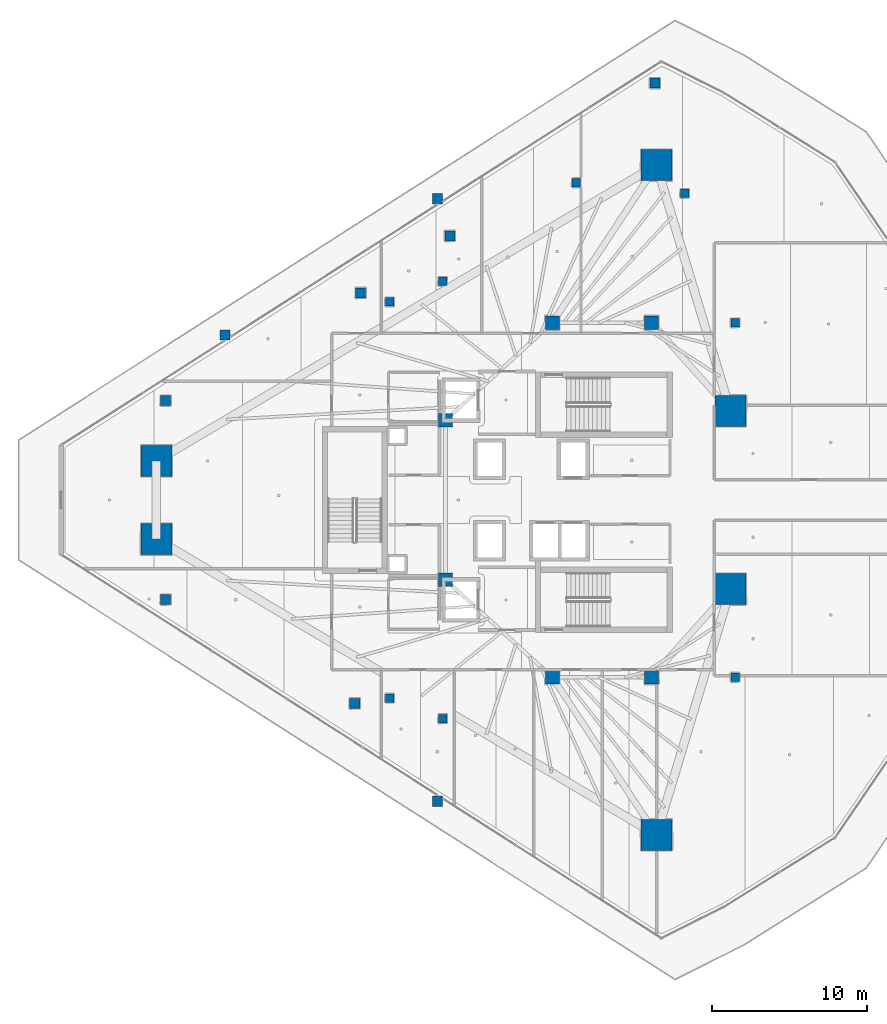
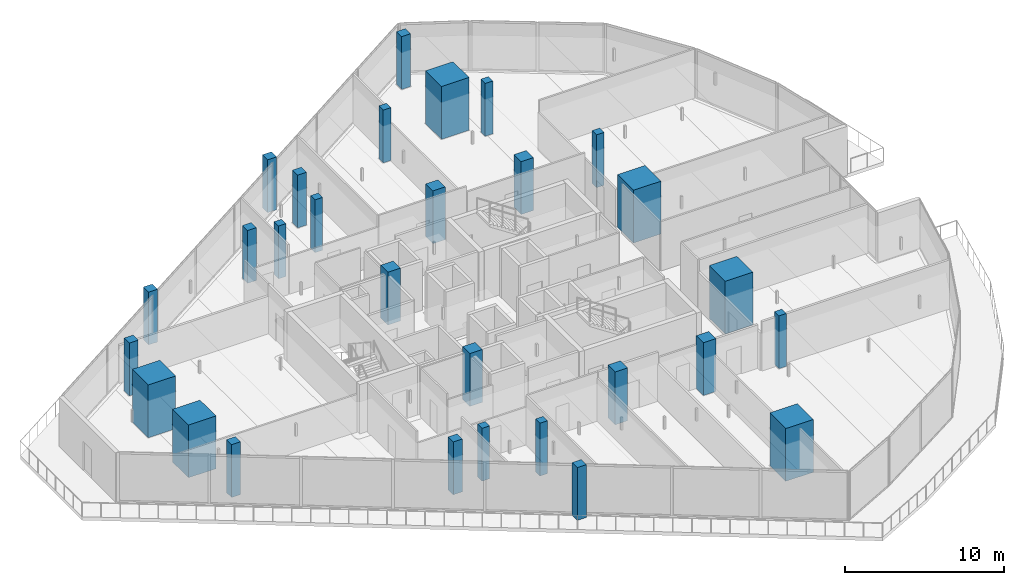
# One storey, part 1 of 37: 29 columns.
"""IFC4 building model written with IfcOpenShell, lengths in metres."""

from ifc_helpers import new_model, si_unit, direction, frame, origin, origin_2d, place, context, subcontext, project, spatial, rectangle, extrude, material, material_profile, profile_set, type_object, element, save


model = new_model("IFC4")

# Units and contexts
model_context = context("Model", 3, precision=1e-05, world=origin(), true_north=direction((0.0, 1.0)))
body_context = subcontext(model_context, "Body", "Model", "MODEL_VIEW")
ifc_project = project(units=[si_unit("LENGTHUNIT", "METRE"), si_unit("AREAUNIT", "SQUARE_METRE"), si_unit("VOLUMEUNIT", "CUBIC_METRE"), si_unit("PLANEANGLEUNIT", "RADIAN"), si_unit("MASSUNIT", "GRAM", prefix="KILO")], contexts=[model_context])

# Site, building, storey
site_placement = place(None, origin())
site = spatial("IfcSite", under=ifc_project, at=site_placement, CompositionType="ELEMENT")
building_placement = place(site_placement, origin())
building = spatial("IfcBuilding", under=site, at=building_placement, Name="Qorvath Tower", CompositionType="ELEMENT")
storey_placement = place(building_placement, frame((0.0, 0.0, 188.85009765625)))
storey = spatial("IfcBuildingStorey", under=building, at=storey_placement, Name="L43", CompositionType="ELEMENT", Elevation=188.85009765625)

# Columns
ifc_material_1 = material(Name="Concrete C60/75", Category="concrete")
ifc_material_profile_1 = material_profile(ifc_material_1, rectangle(XDim=2.0, YDim=2.0, at=origin_2d()), Name="MC 2000x2000")
ifc_profile_set_1 = profile_set([ifc_material_profile_1], Name="Concrete C60/75")
column_type_1 = type_object("IfcColumnType", Name="COL-MC3", PredefinedType="COLUMN", material=ifc_profile_set_1)
for number, where, z_axis, x_axis, name in (
    (1, (-49.171875, 2.52783203125, 0.0), (0.0, 0.0, 1.0), (1.0, 0.0, 0.0), "Composite Mega-Column MC1 L43"),
    (2, (-49.171875, -2.52783203125, 0.0), (0.0, 0.0, 1.0), (1.0, 0.0, 0.0), "Composite Mega-Column MC2 L43"),
    (3, (-16.87158203125, -21.627197265625, 0.0), (0.0, 0.0, 1.0), (1.0, 0.0, 0.0), "Composite Mega-Column MC3 L43"),
    (4, (-12.0966796875, -5.7578125, 0.0), (0.0, 0.0, 1.0), (1.0, 0.0, 0.0), "Composite Mega-Column MC4 L43"),
    (5, (-12.0966796875, 5.7578125, 0.0), (0.0, 0.0, 1.0), (1.0, 0.0, 0.0), "Composite Mega-Column MC5 L43"),
    (6, (-16.87158203125, 21.627197265625, 0.0), (0.0, 0.0, 1.0), (1.0, 0.0, 0.0), "Composite Mega-Column MC6 L43"),
):
    element("IfcColumn", number, at=place(storey_placement, frame(where, z_axis=z_axis, x_axis=x_axis)), inside=storey, type_object=column_type_1, Name=name, PredefinedType="COLUMN", context=body_context, shape_type="SweptSolid", body=[
        extrude(rectangle(XDim=2.0, YDim=2.0, at=origin_2d()), origin(), (0.0, 0.0, 1.0), 4.0498046875),
    ])
ifc_material_2 = material(Name="Concrete C50/60", Category="concrete")
ifc_material_profile_2 = material_profile(ifc_material_2, rectangle(XDim=0.89990234375, YDim=0.89990234375, at=origin_2d()), Name="RC 900x900")
ifc_profile_set_2 = profile_set([ifc_material_profile_2], Name="Concrete C50/60")
column_type_2 = type_object("IfcColumnType", Name="COL-RC3", PredefinedType="COLUMN", material=ifc_profile_set_2)
for number, where, z_axis, x_axis, name in (
    (7, (-23.60009765625, 11.449951171875, 0.0), (0.0, 0.0, 1.0), (1.0, 0.0, 0.0), "Core Spine Column CC1 L43"),
    (8, (-17.199951171875, 11.449951171875, 0.0), (0.0, 0.0, 1.0), (1.0, 0.0, 0.0), "Core Spine Column CC2 L43"),
    (9, (-17.199951171875, -11.449951171875, 0.0), (0.0, 0.0, 1.0), (1.0, 0.0, 0.0), "Core Spine Column CC3 L43"),
    (10, (-23.60009765625, -11.449951171875, 0.0), (0.0, 0.0, 1.0), (1.0, 0.0, 0.0), "Core Spine Column CC4 L43"),
    (11, (-30.5, 5.14990234375, 0.0), (0.0, 0.0, 1.0), (1.0, 0.0, 0.0), "Core Spine Column CC5 L43"),
    (12, (-30.5, -5.14990234375, 0.0), (0.0, 0.0, 1.0), (1.0, 0.0, 0.0), "Core Spine Column CC6 L43"),
):
    element("IfcColumn", number, at=place(storey_placement, frame(where, z_axis=z_axis, x_axis=x_axis)), inside=storey, type_object=column_type_2, Name=name, PredefinedType="COLUMN", context=body_context, shape_type="SweptSolid", body=[
        extrude(rectangle(XDim=0.89990234375, YDim=0.89990234375, at=origin_2d()), origin(), (0.0, 0.0, 1.0), 4.0498046875),
    ])
ifc_material_3 = material(Name="Concrete C45/55", Category="concrete")
ifc_material_profile_3 = material_profile(ifc_material_3, rectangle(XDim=0.64990234375, YDim=0.64990234375, at=origin_2d()), Name="RC 650x650")
ifc_profile_set_3 = profile_set([ifc_material_profile_3], Name="Concrete C45/55")
column_type_3 = type_object("IfcColumnType", Name="COL-RC6", PredefinedType="COLUMN", material=ifc_profile_set_3)
for number, where, z_axis, x_axis, name in (
    (13, (-31.01611328125, 19.46044921875, 0.0), (0.0, 0.0, 1.0), (1.0, 0.0, 0.0), "Loggia Frame Pier Column LGD1 L43"),
    (14, (-31.01611328125, -19.46044921875, 0.0), (0.0, 0.0, 1.0), (1.0, 0.0, 0.0), "Loggia Frame Pier Column LGD2 L43"),
    (15, (-44.736328125, 10.65234375, 0.0), (0.0, 0.0, 1.0), (1.0, 0.0, 0.0), "Loggia Frame Pier Column LGD3 L43"),
    (16, (-48.578369140625, 6.424560546875, 0.0), (0.0, 0.0, 1.0), (1.0, 0.0, 0.0), "Loggia Frame Pier Column LGE1 L43"),
    (17, (-48.578369140625, -6.424560546875, 0.0), (0.0, 0.0, 1.0), (1.0, 0.0, 0.0), "Loggia Frame Pier Column LGE2 L43"),
    (18, (-16.981201171875, 26.92919921875, 0.0), (0.0, 0.0, 1.0), (1.0, 0.0, 0.0), "Loggia Frame Pier Column LGE3 L43"),
    (19, (-35.980712890625, 13.380859375, 0.0), (0.0, 0.0, 1.0), (1.0, 0.0, 0.0), "Loggia Frame Pier Column LGF1 L43"),
    (20, (-36.36474609375, -13.135498046875, 0.0), (0.0, 0.0, 1.0), (1.0, 0.0, 0.0), "Loggia Frame Pier Column LGF2 L43"),
    (21, (-30.224853515625, 17.0595703125, 0.0), (0.0, 0.0, 1.0), (1.0, 0.0, 0.0), "Loggia Frame Pier Column LGF3 L43"),
):
    element("IfcColumn", number, at=place(storey_placement, frame(where, z_axis=z_axis, x_axis=x_axis)), inside=storey, type_object=column_type_3, Name=name, PredefinedType="COLUMN", context=body_context, shape_type="SweptSolid", body=[
        extrude(rectangle(XDim=0.64990234375, YDim=0.64990234375, at=origin_2d()), origin(), (0.0, 0.0, 1.0), 4.0498046875),
    ])
ifc_material_4 = material(Name="Concrete C45/55", Category="concrete")
ifc_material_profile_4 = material_profile(ifc_material_4, rectangle(XDim=0.550048828125, YDim=0.550048828125, at=origin_2d()), Name="RC 550x550")
ifc_profile_set_4 = profile_set([ifc_material_profile_4], Name="Concrete C45/55")
column_type_4 = type_object("IfcColumnType", Name="COL-RC7", PredefinedType="COLUMN", material=ifc_profile_set_4)
for number, where, z_axis, x_axis, name in (
    (22, (-34.104248046875, 12.79248046875, 0.0), (0.0, 0.0, 1.0), (1.0, 0.0, 0.0), "Loggia Frame Pier Column LGG1 L43"),
    (23, (-34.104248046875, -12.79248046875, 0.0), (0.0, 0.0, 1.0), (1.0, 0.0, 0.0), "Loggia Frame Pier Column LGG2 L43"),
    (24, (-22.05322265625, 20.494873046875, 0.0), (0.0, 0.0, 1.0), (1.0, 0.0, 0.0), "Loggia Frame Pier Column LGG3 L43"),
    (25, (-30.67724609375, 14.124267578125, 0.0), (0.0, 0.0, 1.0), (1.0, 0.0, 0.0), "Loggia Frame Pier Column LGH1 L43"),
    (26, (-30.67724609375, -14.124267578125, 0.0), (0.0, 0.0, 1.0), (1.0, 0.0, 0.0), "Loggia Frame Pier Column LGH2 L43"),
    (27, (-15.046142578125, 19.818115234375, 0.0), (0.0, 0.0, 1.0), (1.0, 0.0, 0.0), "Loggia Frame Pier Column LGH3 L43"),
    (28, (-11.800048828125, -11.449951171875, 0.0), (0.0, 0.0, 1.0), (1.0, 0.0, 0.0), "Central Slot Jamb Column SC1 L43"),
    (29, (-11.800048828125, 11.449951171875, 0.0), (0.0, 0.0, 1.0), (1.0, 0.0, 0.0), "Central Slot Jamb Column SC2 L43"),
):
    element("IfcColumn", number, at=place(storey_placement, frame(where, z_axis=z_axis, x_axis=x_axis)), inside=storey, type_object=column_type_4, Name=name, PredefinedType="COLUMN", context=body_context, shape_type="SweptSolid", body=[
        extrude(rectangle(XDim=0.550048828125, YDim=0.550048828125, at=origin_2d()), origin(), (0.0, 0.0, 1.0), 4.0498046875),
    ])

save(model, "model.ifc")
